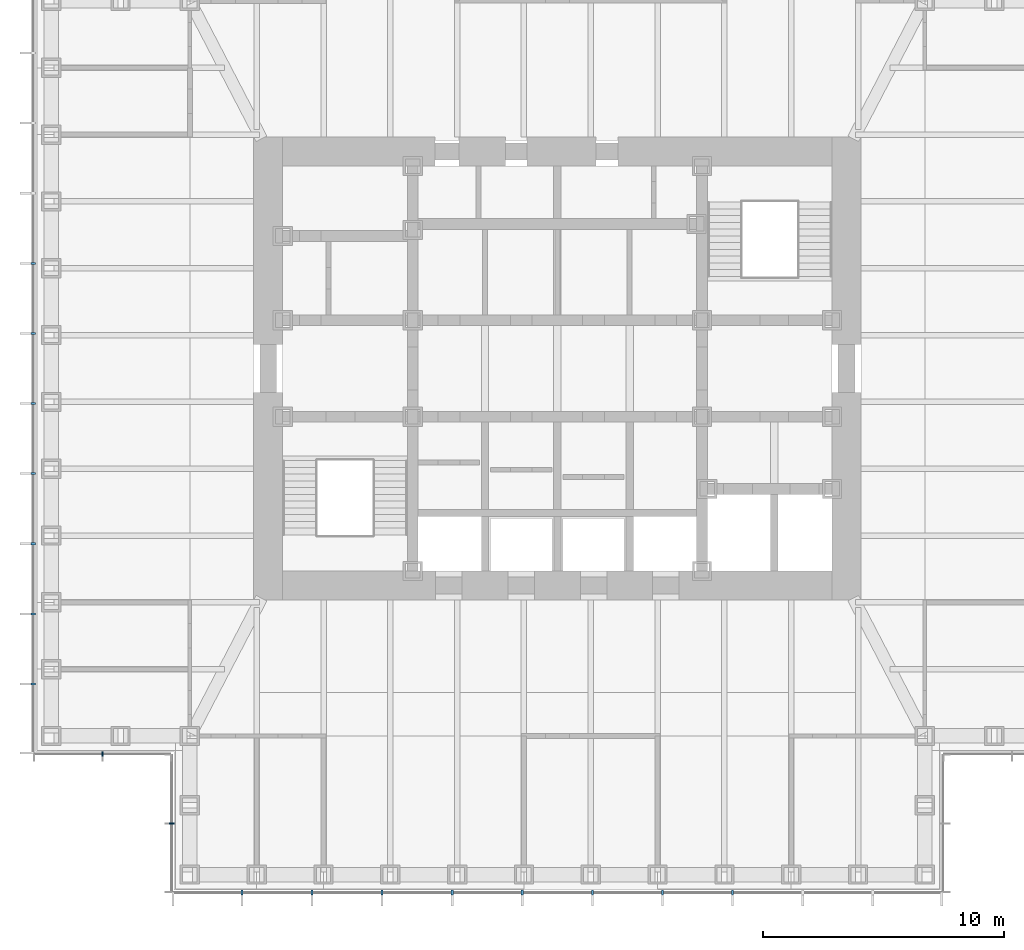
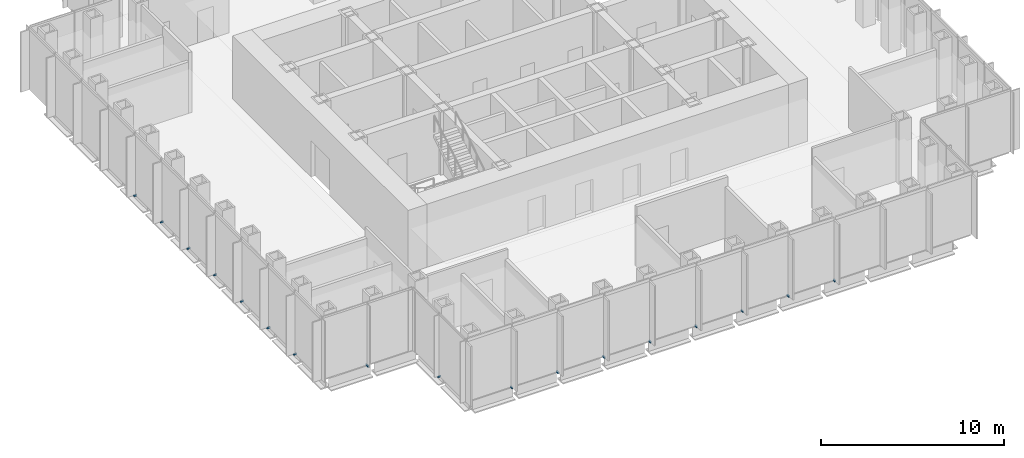
# One storey, part 11 of 16: 17 discrete accessories.
"""IFC4 building model written with IfcOpenShell, lengths in metres."""

import ifcopenshell
import ifcopenshell.guid

model = None  # the IFC model being written
_history = None  # IfcOwnerHistory: only IFC2X3 demands one
_inside = {}  # id of a spatial element -> (the spatial element, [elements in it])
_under = {}  # id of a project, library or spatial element -> (it, [spatial elements below it])
_declared = {}  # id of a project -> (the project, [libraries it declares])
_typed = {}  # id of a type object -> (the type object, [elements of that type])
_made_of = {}  # id of a material, layer set ... -> (it, [elements and type objects made of it])


def new_model(schema):
    """Start an empty IFC model of exactly this schema.

    Asked for "IFC4X3", IfcOpenShell would pick the latest addendum, in which some entities
    have other attributes; the version numbers below select the first issue.
    IFC2X3 requires an IfcOwnerHistory on every rooted entity: one is made here for all.
    """
    global model, _history
    if schema == "IFC4X3":
        model = ifcopenshell.file(schema_version=(4, 3, 0, 0))
    else:
        model = ifcopenshell.file(schema=schema)
    _inside.clear()
    _under.clear()
    _declared.clear()
    _typed.clear()
    _made_of.clear()
    _history = None
    if model.schema == "IFC2X3":
        org = make("IfcOrganization", Name="unknown")
        user = make(
            "IfcPersonAndOrganization",
            ThePerson=make("IfcPerson", FamilyName="unknown"),
            TheOrganization=org,
        )
        app = make(
            "IfcApplication",
            ApplicationDeveloper=org,
            Version="unknown",
            ApplicationFullName="unknown",
            ApplicationIdentifier="unknown",
        )
        _history = make(
            "IfcOwnerHistory",
            OwningUser=user,
            OwningApplication=app,
            ChangeAction="ADDED",
            CreationDate=0,
        )
    return model


def make(cls, **values):
    """One entity of the class cls with the attributes given. An attribute that is None is left unset."""
    return model.create_entity(
        cls, **{name: value for name, value in values.items() if value is not None}
    )


def rooted(cls, **values):
    """An entity with a GlobalId (a new one), such as an element, a storey or a relation."""
    return make(cls, GlobalId=ifcopenshell.guid.new(), OwnerHistory=_history, **values)


def si_unit(unit_type, name, prefix=None):
    """IfcSIUnit, for example si_unit("LENGTHUNIT", "METRE", prefix="MILLI")."""
    return make("IfcSIUnit", UnitType=unit_type, Prefix=prefix, Name=name)


def assignment(units):
    """IfcUnitAssignment: the units of a project."""
    return None if units is None else make("IfcUnitAssignment", Units=units)


def point(xyz):
    """IfcCartesianPoint."""
    return None if xyz is None else make("IfcCartesianPoint", Coordinates=xyz)


def direction(xyz):
    """IfcDirection."""
    return None if xyz is None else make("IfcDirection", DirectionRatios=xyz)


def frame(location, z_axis=None, x_axis=None):
    """IfcAxis2Placement3D, a coordinate frame: its origin and axes. An axis left out is left unset."""
    return make(
        "IfcAxis2Placement3D",
        Location=point(location),
        Axis=direction(z_axis),
        RefDirection=direction(x_axis),
    )


def frame_2d(location, x_axis=None):
    """IfcAxis2Placement2D, a coordinate frame in the plane: its origin and x axis."""
    return make(
        "IfcAxis2Placement2D", Location=point(location), RefDirection=direction(x_axis)
    )


def origin():
    """The frame at (0, 0, 0) with its axes left unset."""
    return frame((0.0, 0.0, 0.0))


def origin_2d():
    """The frame at (0, 0) in the plane with its x axis left unset."""
    return frame_2d((0.0, 0.0))


def place(relative_to, where):
    """IfcLocalPlacement: puts the frame where relative to a parent placement (None: the world)."""
    return make(
        "IfcLocalPlacement", PlacementRelTo=relative_to, RelativePlacement=where
    )


def context(
    kind, dimensions, precision=None, world=None, true_north=None, identifier=None
):
    """IfcGeometricRepresentationContext, for example the 3D "Model" context."""
    return make(
        "IfcGeometricRepresentationContext",
        ContextIdentifier=identifier,
        ContextType=kind,
        CoordinateSpaceDimension=dimensions,
        Precision=precision,
        WorldCoordinateSystem=world,
        TrueNorth=true_north,
    )


def subcontext(parent, identifier, kind, view, scale=None):
    """IfcGeometricRepresentationSubContext, for example "Body" below "Model"."""
    return make(
        "IfcGeometricRepresentationSubContext",
        ContextIdentifier=identifier,
        ContextType=kind,
        ParentContext=parent,
        TargetScale=scale,
        TargetView=view,
    )


def project(units=None, contexts=None):
    """IfcProject with its units and contexts."""
    return rooted(
        "IfcProject",
        Name="project",
        RepresentationContexts=contexts,
        UnitsInContext=assignment(units),
    )


def spatial(cls, under=None, at=None, **own):
    """A site, building, storey or space (cls), placed at a placement, below another one or the project."""
    s = rooted(cls, ObjectPlacement=at, **own)
    if under is not None:
        _under.setdefault(under.id(), (under, []))[1].append(s)
    return s


def profile(cls, at=None, kind="AREA", **sizes):
    """A parametric profile (cls). Its sizes go by their IFC names, for example OverallWidth=200.0."""
    return make(cls, ProfileType=kind, Position=at, **sizes)


def rectangle(**sizes):
    """IfcRectangleProfileDef."""
    return profile("IfcRectangleProfileDef", **sizes)


def extrude(swept, where, along, depth):
    """IfcExtrudedAreaSolid: the profile swept, set in the frame where, extruded along a direction by depth."""
    return make(
        "IfcExtrudedAreaSolid",
        SweptArea=swept,
        Position=where,
        ExtrudedDirection=direction(along),
        Depth=depth,
    )


def shape(context_of_items, identifier, shape_type, items):
    """IfcShapeRepresentation: the items that make up one representation, for example the "Body"."""
    return make(
        "IfcShapeRepresentation",
        ContextOfItems=context_of_items,
        RepresentationIdentifier=identifier,
        RepresentationType=shape_type,
        Items=items,
    )


def made_of(thing, what):
    """Note that an element or type object is made of a material, layer set ...; save() writes the relation."""
    if what is not None:
        _made_of.setdefault(what.id(), (what, []))[1].append(thing)
    return thing


def element(
    cls,
    number,
    at=None,
    inside=None,
    cuts=None,
    type_object=None,
    material=None,
    context=None,
    identifier="Body",
    shape_type=None,
    held_by="IfcProductDefinitionShape",
    body=None,
    shapes=None,
    **own,
):
    """One element of the class cls, such as IfcWall. Its Tag is "e" and its number.

    at: its placement. inside: the storey or other place that contains it. cuts: it is an
    opening in that element (IfcRelVoidsElement). A single representation is given by context,
    identifier, shape_type and body (its items); several are given by shapes. held_by: the class
    of the entity that holds the representations. save() writes the other relations.
    """
    e = rooted(cls, Tag="e%d" % number, ObjectPlacement=at, **own)
    if body is not None:
        shapes = [shape(context, identifier, shape_type, body)]
    if shapes is not None:
        e.Representation = make(held_by, Representations=shapes)
    if inside is not None:
        _inside.setdefault(inside.id(), (inside, []))[1].append(e)
    if cuts is not None:
        rooted(
            "IfcRelVoidsElement", RelatingBuildingElement=cuts, RelatedOpeningElement=e
        )
    if type_object is not None:
        _typed.setdefault(type_object.id(), (type_object, []))[1].append(e)
    return made_of(e, material)


def aggregate(whole, parts):
    """IfcRelAggregates: a whole, such as a stair, and the parts it consists of."""
    return rooted("IfcRelAggregates", RelatingObject=whole, RelatedObjects=parts)


def save(model, path):
    """Write the relations noted so far, then the file.

    IfcRelAggregates (storeys below a building ...), IfcRelContainedInSpatialStructure (elements
    in a storey), IfcRelDefinesByType, IfcRelAssociatesMaterial and IfcRelDeclares: one each for
    every whole, place, type object, material and project.
    """
    for whole, parts in _under.values():
        aggregate(whole, parts)
    for where, things in _inside.values():
        rooted(
            "IfcRelContainedInSpatialStructure",
            RelatedElements=things,
            RelatingStructure=where,
        )
    for kind, things in _typed.values():
        rooted("IfcRelDefinesByType", RelatedObjects=things, RelatingType=kind)
    for what, things in _made_of.values():
        rooted("IfcRelAssociatesMaterial", RelatedObjects=things, RelatingMaterial=what)
    for by, libraries in _declared.values():
        rooted("IfcRelDeclares", RelatingContext=by, RelatedDefinitions=libraries)
    model.write(path)


model = new_model("IFC4")

# Units and contexts
model_context = context("Model", 3, precision=1e-05, world=origin(), true_north=direction((0.0, 1.0)))
body_context = subcontext(model_context, "Body", "Model", "MODEL_VIEW")
ifc_project = project(units=[si_unit("LENGTHUNIT", "METRE"), si_unit("AREAUNIT", "SQUARE_METRE"), si_unit("VOLUMEUNIT", "CUBIC_METRE"), si_unit("PLANEANGLEUNIT", "RADIAN"), si_unit("MASSUNIT", "GRAM", prefix="KILO")], contexts=[model_context])

# Site, building, storey
site_placement = place(None, origin())
site = spatial("IfcSite", under=ifc_project, at=site_placement, CompositionType="ELEMENT")
building_placement = place(site_placement, origin())
building = spatial("IfcBuilding", under=site, at=building_placement, Name="Daluyong Arena Tower", CompositionType="ELEMENT")
storey_placement = place(building_placement, frame((0.0, 0.0, 262.89990234375)))
storey = spatial("IfcBuildingStorey", under=building, at=storey_placement, Name="L59", CompositionType="ELEMENT", Elevation=262.89990234375)

# Discrete accessories
for number, where, z_axis, x_axis, name in (
    (1, (42.9091796875, 58.25, -0.099853515625), (0.0, 0.0, 1.0), (1.0, 0.0, 0.0), "curtain wall L59 S anchor bracket 2"),
    (2, (45.818115234375, 58.25, -0.099853515625), (0.0, 0.0, 1.0), (1.0, 0.0, 0.0), "curtain wall L59 S anchor bracket 3"),
    (3, (48.727294921875, 58.25, -0.099853515625), (0.0, 0.0, 1.0), (1.0, 0.0, 0.0), "curtain wall L59 S anchor bracket 4"),
    (4, (51.636474609375, 58.25, -0.099853515625), (0.0, 0.0, 1.0), (1.0, 0.0, 0.0), "curtain wall L59 S anchor bracket 5"),
    (5, (54.54541015625, 58.25, -0.099853515625), (0.0, 0.0, 1.0), (1.0, 0.0, 0.0), "curtain wall L59 S anchor bracket 6"),
    (6, (57.45458984375, 58.25, -0.099853515625), (0.0, 0.0, 1.0), (1.0, 0.0, 0.0), "curtain wall L59 S anchor bracket 7"),
    (7, (60.363525390625, 58.25, -0.099853515625), (0.0, 0.0, 1.0), (1.0, 0.0, 0.0), "curtain wall L59 S anchor bracket 8"),
    (8, (63.272705078125, 58.25, -0.099853515625), (0.0, 0.0, 1.0), (1.0, 0.0, 0.0), "curtain wall L59 S anchor bracket 9"),
    (9, (34.25, 84.363525390625, -0.099853515625), (0.0, 0.0, 1.0), (0.0, -1.0, 0.0), "curtain wall L59 W anchor bracket 5"),
    (10, (34.25, 81.45458984375, -0.099853515625), (0.0, 0.0, 1.0), (0.0, -1.0, 0.0), "curtain wall L59 W anchor bracket 6"),
    (11, (34.25, 78.54541015625, -0.099853515625), (0.0, 0.0, 1.0), (0.0, -1.0, 0.0), "curtain wall L59 W anchor bracket 7"),
    (12, (34.25, 75.636474609375, -0.099853515625), (0.0, 0.0, 1.0), (0.0, -1.0, 0.0), "curtain wall L59 W anchor bracket 8"),
    (13, (34.25, 72.727294921875, -0.099853515625), (0.0, 0.0, 1.0), (0.0, -1.0, 0.0), "curtain wall L59 W anchor bracket 9"),
    (14, (34.25, 69.818115234375, -0.099853515625), (0.0, 0.0, 1.0), (0.0, -1.0, 0.0), "curtain wall L59 W anchor bracket 10"),
    (15, (34.25, 66.9091796875, -0.099853515625), (0.0, 0.0, 1.0), (0.0, -1.0, 0.0), "curtain wall L59 W anchor bracket 11"),
):
    element("IfcDiscreteAccessory", number, at=place(storey_placement, frame(where, z_axis=z_axis, x_axis=x_axis)), inside=storey, Name=name, PredefinedType="BRACKET", context=body_context, shape_type="SweptSolid", body=[
        extrude(rectangle(XDim=0.090087890625, YDim=0.199951171875, at=origin_2d()), origin(), (0.0, 0.0, 1.0), 0.10009765625),
    ])
for number, where, z_axis, x_axis, name in (
    (16, (37.125, 64.0, -0.099853515625), (0.0, 0.0, 1.0), (1.0, 0.0, 0.0), "curtain wall L59 SW-S anchor bracket 2"),
    (17, (40.0, 61.125, -0.099853515625), (0.0, 0.0, 1.0), (0.0, -1.0, 0.0), "curtain wall L59 SW-W anchor bracket 2"),
):
    element("IfcDiscreteAccessory", number, at=place(storey_placement, frame(where, z_axis=z_axis, x_axis=x_axis)), inside=storey, Name=name, PredefinedType="BRACKET", context=body_context, shape_type="SweptSolid", body=[
        extrude(rectangle(XDim=0.06005859375, YDim=0.199951171875, at=origin_2d()), origin(), (0.0, 0.0, 1.0), 0.10009765625),
    ])

save(model, "model.ifc")
